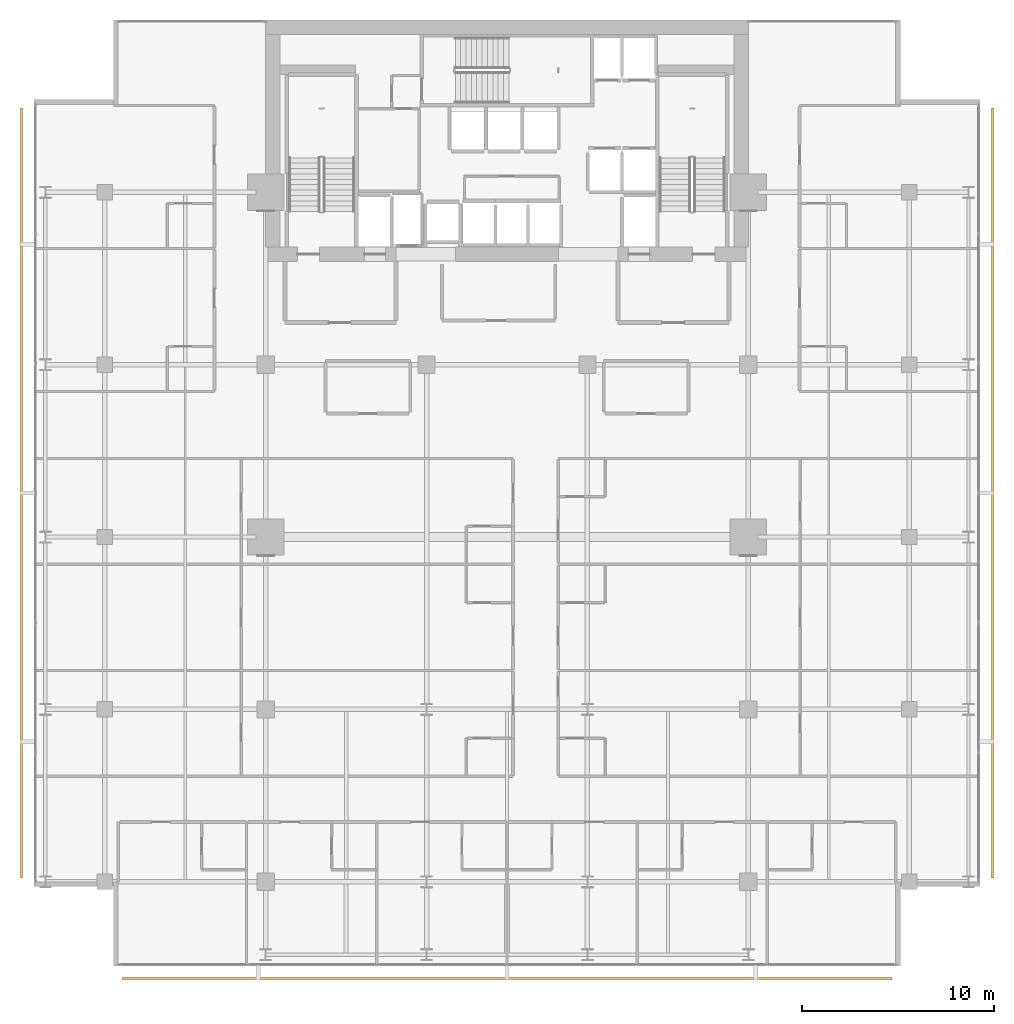
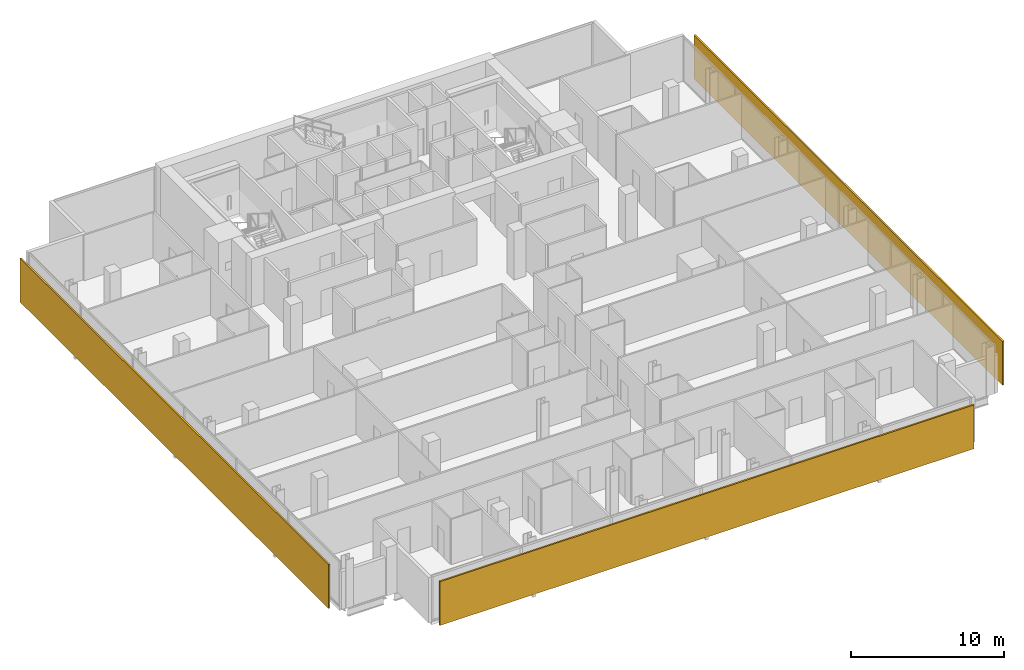
# One storey, part 32 of 33: 3 shading devices.
"""IFC4 building model written with IfcOpenShell, lengths in metres."""

from ifc_helpers import new_model, si_unit, direction, frame, origin, origin_2d, place, context, subcontext, project, spatial, rectangle, extrude, material, layer, layer_set, type_object, element, save


model = new_model("IFC4")

# Units and contexts
model_context = context("Model", 3, precision=1e-05, world=origin(), true_north=direction((0.0, 1.0)))
body_context = subcontext(model_context, "Body", "Model", "MODEL_VIEW")
ifc_project = project(units=[si_unit("LENGTHUNIT", "METRE"), si_unit("AREAUNIT", "SQUARE_METRE"), si_unit("VOLUMEUNIT", "CUBIC_METRE"), si_unit("PLANEANGLEUNIT", "RADIAN"), si_unit("MASSUNIT", "GRAM", prefix="KILO")], contexts=[model_context])

# Site, building, storey
site_placement = place(None, origin())
site = spatial("IfcSite", under=ifc_project, at=site_placement, CompositionType="ELEMENT")
building_placement = place(site_placement, origin())
building = spatial("IfcBuilding", under=site, at=building_placement, Name="Maruvema Waterfront Hotel and Observation Tower", CompositionType="ELEMENT")
storey_placement = place(building_placement, frame((0.0, 0.0, 150.5)))
storey = spatial("IfcBuildingStorey", under=building, at=storey_placement, Name="L36", CompositionType="ELEMENT", Elevation=150.5)

# Shading devices
ifc_material = material(Name="Honed travertine stone and anodised architectural bronze", Category="masonry")
ifc_layer = layer(ifc_material, 0.1201171875, Name="Ventilated Outer Skin Cobogo Stone-and-Bronze Screen 120 mm")
ifc_layer_set = layer_set([ifc_layer], Name="Honed travertine stone and anodised architectural bronze")
shading_device_type = type_object("IfcShadingDeviceType", Name="Ventilated Outer Skin Cobogo Stone-and-Bronze Screen 120 mm", PredefinedType="USERDEFINED", material=ifc_layer_set)
for number, where, z_axis, x_axis, name in (
    (1, (37.800048828125, 3.949951171875, 0.06005859375), (0.0, 0.0, 1.0), (1.0, 0.0, 0.0), "L36 Ventilated Double-Skin Outer Cobogo Screen OS-L36-S"),
    (2, (63.14990234375, 29.300048828125, 0.06005859375), (0.0, 0.0, 1.0), (0.0, 1.0, 0.0), "L36 Ventilated Double-Skin Outer Cobogo Screen OS-L36-E"),
    (3, (12.449951171875, 29.300048828125, 0.06005859375), (0.0, 0.0, 1.0), (0.0, -1.0, 0.0), "L36 Ventilated Double-Skin Outer Cobogo Screen OS-L36-W"),
):
    element("IfcShadingDevice", number, at=place(storey_placement, frame(where, z_axis=z_axis, x_axis=x_axis)), inside=storey, type_object=shading_device_type, Name=name, ObjectType="OUTER SKIN SCREEN", PredefinedType="USERDEFINED", context=body_context, shape_type="SweptSolid", body=[
        extrude(rectangle(XDim=40.199951171875, YDim=0.1201171875, at=origin_2d()), origin(), (0.0, 0.0, 1.0), 3.489990234375),
    ])

save(model, "model.ifc")
